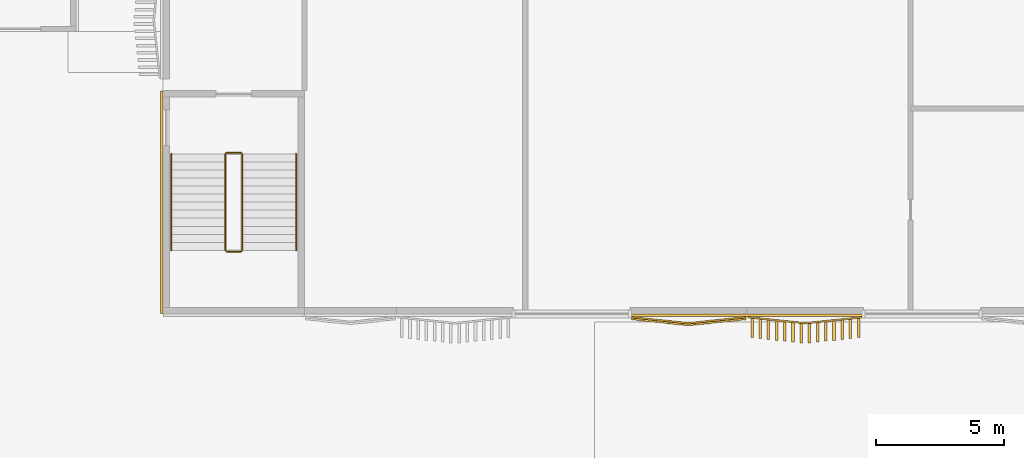
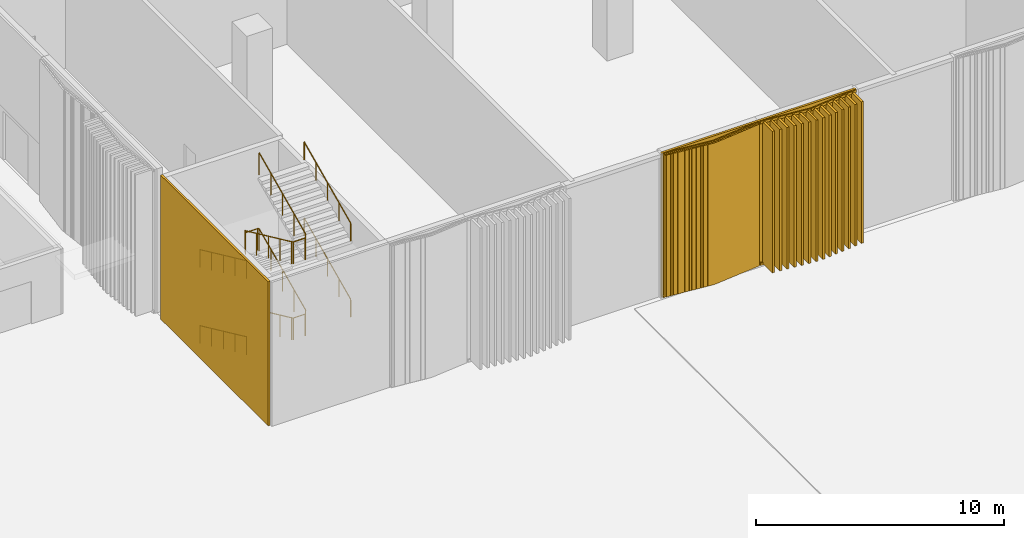
# One storey, part 30 of 41: 5 railings, 4 coverings.
"""IFC4 building model written with IfcOpenShell, lengths in metres."""

from ifc_helpers import new_model, si_unit, direction, frame, frame_2d, origin, origin_2d, place, context, subcontext, project, spatial, rectangle, circle, extrude, source, transform, mapped, material, layer, layer_set, type_object, element, save


model = new_model("IFC4")

# Units and contexts
model_context = context("Model", 3, precision=1e-05, world=origin(), true_north=direction((0.0, 1.0)))
body_context = subcontext(model_context, "Body", "Model", "MODEL_VIEW")
ifc_project = project(units=[si_unit("LENGTHUNIT", "METRE"), si_unit("AREAUNIT", "SQUARE_METRE"), si_unit("VOLUMEUNIT", "CUBIC_METRE"), si_unit("PLANEANGLEUNIT", "RADIAN"), si_unit("MASSUNIT", "GRAM", prefix="KILO")], contexts=[model_context])

# Site, building, storey
site_placement = place(None, origin())
site = spatial("IfcSite", under=ifc_project, at=site_placement, CompositionType="ELEMENT")
building_placement = place(site_placement, origin())
building = spatial("IfcBuilding", under=site, at=building_placement, Name="Tamra Quay Hotel Tower", CompositionType="ELEMENT")
storey_placement = place(building_placement, origin())
storey = spatial("IfcBuildingStorey", under=building, at=storey_placement, Name="L00", CompositionType="ELEMENT", Elevation=0.0)

# Coverings
ifc_material_1 = material(Name="Precast concrete M60 terracotta-coloured pierced relief", Category="masonry")
ifc_layer = layer(ifc_material_1, 0.10009765625)
ifc_layer_set = layer_set([ifc_layer], Name="PIERCED RELIEF PANEL 100")
covering_type_1 = type_object("IfcCoveringType", Name="PIERCED RELIEF PANEL 100", PredefinedType="CLADDING", material=ifc_layer_set)
covering_1_placement = place(storey_placement, frame((-66.369140625, -32.050048828125, 0.0), z_axis=(0.0, 0.0, 1.0), x_axis=(1.0, 0.0, 0.0)))
element("IfcCovering", 1, at=covering_1_placement, inside=storey, type_object=covering_type_1, Name="Relief panel L00.SW.14", PredefinedType="CLADDING", context=body_context, shape_type="SweptSolid", body=[
    extrude(rectangle(XDim=9.072265625, YDim=0.10009765625, at=origin_2d()), origin(), (0.0, 0.0, 1.0), 7.10009765625),
])
covering_2_placement = place(storey_placement, frame((-89.14990234375, -27.64990234375, 0.0), z_axis=(0.0, 0.0, 1.0), x_axis=(0.0, -1.0, 0.0)))
element("IfcCovering", 2, at=covering_2_placement, inside=storey, type_object=covering_type_1, Name="Relief panel L00.PS2.2", PredefinedType="CLADDING", context=body_context, shape_type="SweptSolid", body=[
    extrude(rectangle(XDim=8.679931640625, YDim=0.10009765625, at=origin_2d()), origin(), (0.0, 0.0, 1.0), 7.10009765625),
])

# Railings
ifc_material_2 = material(Name="Stair guard 1100")
railing_type_1 = type_object("IfcRailingType", Name="Stair guard 1100", PredefinedType="GUARDRAIL", material=ifc_material_2)
railing_1_placement = place(storey_placement, frame((-86.070068359375, -25.719970703125, 0.0)))
element("IfcRailing", 3, at=railing_1_placement, inside=storey, type_object=railing_type_1, Name="GR", PredefinedType="GUARDRAIL", context=body_context, shape_type="SweptSolid", body=[
    extrude(circle(Radius=0.02392578125, at=origin_2d()), frame((0.0, 0.0, 1.076171875), z_axis=(-1.0, 0.0, 0.0), x_axis=(0.0, -1.0, 0.0)), (0.0, 0.0, 1.0), 0.559814453125),
    extrude(circle(Radius=0.02392578125, at=origin_2d()), frame((-0.559814453125, 0.0, 1.076171875), z_axis=(-0.311418193813, -0.311418193813, 0.897795866066), x_axis=(0.707106781187, -0.707106781187, 0.0)), (0.0, 0.0, 1.0), 0.16064453125),
    extrude(circle(Radius=0.02392578125, at=origin_2d()), frame((-0.60986328125, -0.050048828125, 1.22021484375), z_axis=(0.0, -0.908213217456, 0.418507767716), x_axis=(1.0, 0.0, 0.0)), (0.0, 0.0, 1.0), 4.135498046875),
    extrude(circle(Radius=0.02392578125, at=origin_2d()), frame((-0.60986328125, -3.805908203125, 2.951171875), z_axis=(0.707106781187, -0.707106781187, 0.0), x_axis=(0.707106781187, 0.707106781187, 0.0)), (0.0, 0.0, 1.0), 0.07080078125),
    extrude(circle(Radius=0.02392578125, at=origin_2d()), frame((-0.559814453125, -3.85595703125, 2.951171875), z_axis=(1.0, 0.0, 0.0), x_axis=(0.0, 1.0, 0.0)), (0.0, 0.0, 1.0), 0.559814453125),
    extrude(circle(Radius=0.02392578125, at=origin_2d()), frame((0.0, -3.85595703125, 2.951171875), z_axis=(0.311418193813, 0.311418193813, 0.897795866066), x_axis=(-0.707106781187, 0.707106781187, 0.0)), (0.0, 0.0, 1.0), 0.16064453125),
    extrude(circle(Radius=0.02392578125, at=origin_2d()), frame((0.050048828125, -3.805908203125, 3.09521484375), z_axis=(0.0, 0.908213217456, 0.418507767716), x_axis=(-1.0, 0.0, 0.0)), (0.0, 0.0, 1.0), 4.135498046875),
    extrude(circle(Radius=0.02392578125, at=origin_2d()), frame((0.050048828125, -0.050048828125, 4.826171875), z_axis=(-0.707106781187, 0.707106781187, 0.0), x_axis=(-0.707106781187, -0.707106781187, 0.0)), (0.0, 0.0, 1.0), 0.07080078125),
    extrude(circle(Radius=0.02392578125, at=origin_2d()), frame((0.0, 0.0, 4.826171875), z_axis=(-1.0, 0.0, 0.0), x_axis=(0.0, -1.0, 0.0)), (0.0, 0.0, 1.0), 0.559814453125),
    extrude(circle(Radius=0.02392578125, at=origin_2d()), frame((-0.559814453125, 0.0, 4.826171875), z_axis=(-0.311418193813, -0.311418193813, 0.897795866066), x_axis=(0.707106781187, -0.707106781187, 0.0)), (0.0, 0.0, 1.0), 0.16064453125),
    extrude(circle(Radius=0.02392578125, at=origin_2d()), frame((-0.60986328125, -0.050048828125, 4.97021484375), z_axis=(0.0, -0.908213217456, 0.418507767716), x_axis=(1.0, 0.0, 0.0)), (0.0, 0.0, 1.0), 4.135498046875),
    extrude(circle(Radius=0.02392578125, at=origin_2d()), frame((-0.60986328125, -3.805908203125, 6.701171875), z_axis=(0.707106781187, -0.707106781187, 0.0), x_axis=(0.707106781187, 0.707106781187, 0.0)), (0.0, 0.0, 1.0), 0.07080078125),
    extrude(circle(Radius=0.02392578125, at=origin_2d()), frame((-0.559814453125, -3.85595703125, 6.701171875), z_axis=(1.0, 0.0, 0.0), x_axis=(0.0, 1.0, 0.0)), (0.0, 0.0, 1.0), 0.559814453125),
    extrude(circle(Radius=0.02392578125, at=origin_2d()), frame((0.0, -3.85595703125, 6.701171875), z_axis=(0.311418193813, 0.311418193813, 0.897795866066), x_axis=(-0.707106781187, 0.707106781187, 0.0)), (0.0, 0.0, 1.0), 0.16064453125),
    extrude(circle(Radius=0.02392578125, at=origin_2d()), frame((0.050048828125, -3.805908203125, 6.84521484375), z_axis=(0.0, 0.908213217456, 0.418507767716), x_axis=(-1.0, 0.0, 0.0)), (0.0, 0.0, 1.0), 4.135498046875),
    extrude(circle(Radius=0.02099609375, at=origin_2d()), origin(), (0.0, 0.0, 1.0), 1.052001953125),
    extrude(circle(Radius=0.02099609375, at=origin_2d()), frame((-0.559814453125, 0.0, 0.0)), (0.0, 0.0, 1.0), 1.052001953125),
    extrude(circle(Radius=0.02099609375, at=origin_2d()), frame((-0.60986328125, -0.050048828125, 0.144287109375)), (0.0, 0.0, 1.0), 1.052001953125),
    extrude(circle(Radius=0.02099609375, at=origin_2d()), frame((-0.60986328125, -0.989013671875, 0.576904296875)), (0.0, 0.0, 1.0), 1.052001953125),
    extrude(circle(Radius=0.02099609375, at=origin_2d()), frame((-0.60986328125, -1.927978515625, 1.009765625)), (0.0, 0.0, 1.0), 1.052001953125),
    extrude(circle(Radius=0.02099609375, at=origin_2d()), frame((-0.60986328125, -2.866943359375, 1.4423828125)), (0.0, 0.0, 1.0), 1.052001953125),
    extrude(circle(Radius=0.02099609375, at=origin_2d()), frame((-0.60986328125, -3.805908203125, 1.875)), (0.0, 0.0, 1.0), 1.052001953125),
    extrude(circle(Radius=0.02099609375, at=origin_2d()), frame((-0.559814453125, -3.85595703125, 1.875)), (0.0, 0.0, 1.0), 1.052001953125),
    extrude(circle(Radius=0.02099609375, at=origin_2d()), frame((0.0, -3.85595703125, 1.875)), (0.0, 0.0, 1.0), 1.052001953125),
    extrude(circle(Radius=0.02099609375, at=origin_2d()), frame((0.050048828125, -3.805908203125, 2.019287109375)), (0.0, 0.0, 1.0), 1.052001953125),
    extrude(circle(Radius=0.02099609375, at=origin_2d()), frame((0.050048828125, -2.866943359375, 2.451904296875)), (0.0, 0.0, 1.0), 1.052001953125),
    extrude(circle(Radius=0.02099609375, at=origin_2d()), frame((0.050048828125, -1.927978515625, 2.884765625)), (0.0, 0.0, 1.0), 1.052001953125),
    extrude(circle(Radius=0.02099609375, at=origin_2d()), frame((0.050048828125, -0.989013671875, 3.3173828125)), (0.0, 0.0, 1.0), 1.052001953125),
    extrude(circle(Radius=0.02099609375, at=origin_2d()), frame((0.050048828125, -0.050048828125, 3.75)), (0.0, 0.0, 1.0), 1.052001953125),
    extrude(circle(Radius=0.02099609375, at=origin_2d()), frame((0.0, 0.0, 3.75)), (0.0, 0.0, 1.0), 1.052001953125),
    extrude(circle(Radius=0.02099609375, at=origin_2d()), frame((-0.559814453125, 0.0, 3.75)), (0.0, 0.0, 1.0), 1.052001953125),
    extrude(circle(Radius=0.02099609375, at=origin_2d()), frame((-0.60986328125, -0.050048828125, 3.894287109375)), (0.0, 0.0, 1.0), 1.052001953125),
    extrude(circle(Radius=0.02099609375, at=origin_2d()), frame((-0.60986328125, -0.989013671875, 4.326904296875)), (0.0, 0.0, 1.0), 1.052001953125),
    extrude(circle(Radius=0.02099609375, at=origin_2d()), frame((-0.60986328125, -1.927978515625, 4.759765625)), (0.0, 0.0, 1.0), 1.052001953125),
    extrude(circle(Radius=0.02099609375, at=origin_2d()), frame((-0.60986328125, -2.866943359375, 5.1923828125)), (0.0, 0.0, 1.0), 1.052001953125),
    extrude(circle(Radius=0.02099609375, at=origin_2d()), frame((-0.60986328125, -3.805908203125, 5.625)), (0.0, 0.0, 1.0), 1.052001953125),
    extrude(circle(Radius=0.02099609375, at=origin_2d()), frame((-0.559814453125, -3.85595703125, 5.625)), (0.0, 0.0, 1.0), 1.052001953125),
    extrude(circle(Radius=0.02099609375, at=origin_2d()), frame((0.0, -3.85595703125, 5.625)), (0.0, 0.0, 1.0), 1.052001953125),
    extrude(circle(Radius=0.02099609375, at=origin_2d()), frame((0.050048828125, -3.805908203125, 5.769287109375)), (0.0, 0.0, 1.0), 1.052001953125),
    extrude(circle(Radius=0.02099609375, at=origin_2d()), frame((0.050048828125, -2.866943359375, 6.201904296875)), (0.0, 0.0, 1.0), 1.052001953125),
    extrude(circle(Radius=0.02099609375, at=origin_2d()), frame((0.050048828125, -1.927978515625, 6.634765625)), (0.0, 0.0, 1.0), 1.052001953125),
    extrude(circle(Radius=0.02099609375, at=origin_2d()), frame((0.050048828125, -0.989013671875, 7.0673828125)), (0.0, 0.0, 1.0), 1.052001953125),
    extrude(circle(Radius=0.02099609375, at=origin_2d()), frame((0.050048828125, -0.050048828125, 7.5)), (0.0, 0.0, 1.0), 1.052001953125),
])
ifc_material_3 = material(Name="Stair handrail 900")
railing_type_2 = type_object("IfcRailingType", Name="Stair handrail 900", PredefinedType="HANDRAIL", material=ifc_material_3)
railing_2_placement = place(storey_placement, frame((-88.780029296875, -25.77001953125, 0.144287109375)))
element("IfcRailing", 4, at=railing_2_placement, inside=storey, type_object=railing_type_2, Name="HR", PredefinedType="HANDRAIL", context=body_context, shape_type="SweptSolid", body=[
    extrude(circle(Radius=0.02392578125, at=origin_2d()), frame((0.0, 0.0, 0.8759765625), z_axis=(0.0, -0.908213217456, 0.418507767716), x_axis=(1.0, 0.0, 0.0)), (0.0, 0.0, 1.0), 4.135498046875),
    extrude(circle(Radius=0.02099609375, at=origin_2d()), origin(), (0.0, 0.0, 1.0), 0.851806640625),
    extrude(circle(Radius=0.02099609375, at=origin_2d()), frame((0.0, -0.93896484375, 0.4326171875)), (0.0, 0.0, 1.0), 0.851806640625),
    extrude(circle(Radius=0.02099609375, at=origin_2d()), frame((0.0, -1.8779296875, 0.865234375)), (0.0, 0.0, 1.0), 0.851806640625),
    extrude(circle(Radius=0.02099609375, at=origin_2d()), frame((0.0, -2.81689453125, 1.298095703125)), (0.0, 0.0, 1.0), 0.851806640625),
    extrude(circle(Radius=0.02099609375, at=origin_2d()), frame((0.0, -3.755859375, 1.730712890625)), (0.0, 0.0, 1.0), 0.851806640625),
])
railing_3_placement = place(storey_placement, frame((-83.919921875, -29.52587890625, 2.019287109375)))
element("IfcRailing", 5, at=railing_3_placement, inside=storey, type_object=railing_type_2, Name="HR", PredefinedType="HANDRAIL", context=body_context, shape_type="SweptSolid", body=[
    extrude(circle(Radius=0.02392578125, at=origin_2d()), frame((0.0, 0.0, 0.8759765625), z_axis=(0.0, 0.908213217456, 0.418507767716), x_axis=(-1.0, 0.0, 0.0)), (0.0, 0.0, 1.0), 4.135498046875),
    extrude(circle(Radius=0.02099609375, at=origin_2d()), origin(), (0.0, 0.0, 1.0), 0.851806640625),
    extrude(circle(Radius=0.02099609375, at=origin_2d()), frame((0.0, 0.93896484375, 0.4326171875)), (0.0, 0.0, 1.0), 0.851806640625),
    extrude(circle(Radius=0.02099609375, at=origin_2d()), frame((0.0, 1.8779296875, 0.865234375)), (0.0, 0.0, 1.0), 0.851806640625),
    extrude(circle(Radius=0.02099609375, at=origin_2d()), frame((0.0, 2.81689453125, 1.298095703125)), (0.0, 0.0, 1.0), 0.851806640625),
    extrude(circle(Radius=0.02099609375, at=origin_2d()), frame((0.0, 3.755859375, 1.730712890625)), (0.0, 0.0, 1.0), 0.851806640625),
])
railing_4_placement = place(storey_placement, frame((-88.780029296875, -25.77001953125, 3.894287109375)))
element("IfcRailing", 6, at=railing_4_placement, inside=storey, type_object=railing_type_2, Name="HR", PredefinedType="HANDRAIL", context=body_context, shape_type="SweptSolid", body=[
    extrude(circle(Radius=0.02392578125, at=origin_2d()), frame((0.0, 0.0, 0.8759765625), z_axis=(0.0, -0.908213217456, 0.418507767716), x_axis=(1.0, 0.0, 0.0)), (0.0, 0.0, 1.0), 4.135498046875),
    extrude(circle(Radius=0.02099609375, at=origin_2d()), origin(), (0.0, 0.0, 1.0), 0.851806640625),
    extrude(circle(Radius=0.02099609375, at=origin_2d()), frame((0.0, -0.93896484375, 0.4326171875)), (0.0, 0.0, 1.0), 0.851806640625),
    extrude(circle(Radius=0.02099609375, at=origin_2d()), frame((0.0, -1.8779296875, 0.865234375)), (0.0, 0.0, 1.0), 0.851806640625),
    extrude(circle(Radius=0.02099609375, at=origin_2d()), frame((0.0, -2.81689453125, 1.298095703125)), (0.0, 0.0, 1.0), 0.851806640625),
    extrude(circle(Radius=0.02099609375, at=origin_2d()), frame((0.0, -3.755859375, 1.730712890625)), (0.0, 0.0, 1.0), 0.851806640625),
])
railing_5_placement = place(storey_placement, frame((-83.919921875, -29.52587890625, 5.769287109375)))
element("IfcRailing", 7, at=railing_5_placement, inside=storey, type_object=railing_type_2, Name="HR", PredefinedType="HANDRAIL", context=body_context, shape_type="SweptSolid", body=[
    extrude(circle(Radius=0.02392578125, at=origin_2d()), frame((0.0, 0.0, 0.8759765625), z_axis=(0.0, 0.908213217456, 0.418507767716), x_axis=(-1.0, 0.0, 0.0)), (0.0, 0.0, 1.0), 4.135498046875),
    extrude(circle(Radius=0.02099609375, at=origin_2d()), origin(), (0.0, 0.0, 1.0), 0.851806640625),
    extrude(circle(Radius=0.02099609375, at=origin_2d()), frame((0.0, 0.93896484375, 0.4326171875)), (0.0, 0.0, 1.0), 0.851806640625),
    extrude(circle(Radius=0.02099609375, at=origin_2d()), frame((0.0, 1.8779296875, 0.865234375)), (0.0, 0.0, 1.0), 0.851806640625),
    extrude(circle(Radius=0.02099609375, at=origin_2d()), frame((0.0, 2.81689453125, 1.298095703125)), (0.0, 0.0, 1.0), 0.851806640625),
    extrude(circle(Radius=0.02099609375, at=origin_2d()), frame((0.0, 3.755859375, 1.730712890625)), (0.0, 0.0, 1.0), 0.851806640625),
])

# Coverings
ifc_material_4 = material(Name="Terracotta baguette extruded", Category="masonry")
covering_type_2 = type_object("IfcCoveringType", Name="BAGUETTE SCREEN SW-DEEP H7100", PredefinedType="USERDEFINED", material=ifc_material_4)
shared_shape_1 = source(origin(), body_context, "Body", "SweptSolid", [
    extrude(rectangle(XDim=2.244873046875, YDim=0.06005859375, at=frame_2d((1.12255859375, 0.030029296875))), frame((-2.23876953125, -0.0576171875, -0.1201171875), z_axis=(0.0, 0.0, 1.0), x_axis=(0.994521895368, -0.104528463268, 0.0)), (0.0, 0.0, 1.0), 0.1201171875),
    extrude(rectangle(XDim=2.244873046875, YDim=0.06005859375, at=frame_2d((1.12255859375, 0.030029296875))), frame((-2.23876953125, -0.0576171875, -7.10009765625), z_axis=(0.0, 0.0, 1.0), x_axis=(0.994521895368, -0.104528463268, 0.0)), (0.0, 0.0, 1.0), 0.1201171875),
    extrude(rectangle(XDim=0.10009765625, YDim=0.780029296875, at=frame_2d((0.050048828125, 0.39013671875))), frame((-2.123046875, -0.82470703125, -7.0400390625)), (0.0, 0.0, 1.0), 6.97998046875),
    extrude(rectangle(XDim=0.10009765625, YDim=0.780029296875, at=frame_2d((0.050048828125, 0.39013671875))), frame((-1.80419921875, -0.8583984375, -7.0400390625)), (0.0, 0.0, 1.0), 6.97998046875),
    extrude(rectangle(XDim=0.10009765625, YDim=0.780029296875, at=frame_2d((0.050048828125, 0.39013671875))), frame((-1.485107421875, -0.891845703125, -7.0400390625)), (0.0, 0.0, 1.0), 6.97998046875),
    extrude(rectangle(XDim=0.10009765625, YDim=0.780029296875, at=frame_2d((0.050048828125, 0.39013671875))), frame((-1.166259765625, -0.92529296875, -7.0400390625)), (0.0, 0.0, 1.0), 6.97998046875),
    extrude(rectangle(XDim=0.10009765625, YDim=0.780029296875, at=frame_2d((0.050048828125, 0.39013671875))), frame((-0.847412109375, -0.958740234375, -7.0400390625)), (0.0, 0.0, 1.0), 6.97998046875),
    extrude(rectangle(XDim=0.10009765625, YDim=0.780029296875, at=frame_2d((0.050048828125, 0.39013671875))), frame((-0.5283203125, -0.992431640625, -7.0400390625)), (0.0, 0.0, 1.0), 6.97998046875),
    extrude(rectangle(XDim=0.10009765625, YDim=0.780029296875, at=frame_2d((0.050048828125, 0.39013671875))), frame((-0.20947265625, -1.02587890625, -7.0400390625)), (0.0, 0.0, 1.0), 6.97998046875),
    extrude(rectangle(XDim=2.244873046875, YDim=0.06005859375, at=frame_2d((1.12255859375, 0.030029296875))), frame((0.00634765625, -0.292236328125, -0.1201171875), z_axis=(0.0, 0.0, 1.0), x_axis=(0.994521895368, 0.104528463268, 0.0)), (0.0, 0.0, 1.0), 0.1201171875),
    extrude(rectangle(XDim=2.244873046875, YDim=0.06005859375, at=frame_2d((1.12255859375, 0.030029296875))), frame((0.00634765625, -0.292236328125, -7.10009765625), z_axis=(0.0, 0.0, 1.0), x_axis=(0.994521895368, 0.104528463268, 0.0)), (0.0, 0.0, 1.0), 0.1201171875),
    extrude(rectangle(XDim=0.10009765625, YDim=0.780029296875, at=frame_2d((0.050048828125, 0.39013671875))), frame((0.109375, -1.02587890625, -7.0400390625)), (0.0, 0.0, 1.0), 6.97998046875),
    extrude(rectangle(XDim=0.10009765625, YDim=0.780029296875, at=frame_2d((0.050048828125, 0.39013671875))), frame((0.428466796875, -0.992431640625, -7.0400390625)), (0.0, 0.0, 1.0), 6.97998046875),
    extrude(rectangle(XDim=0.10009765625, YDim=0.780029296875, at=frame_2d((0.050048828125, 0.39013671875))), frame((0.747314453125, -0.958740234375, -7.0400390625)), (0.0, 0.0, 1.0), 6.97998046875),
    extrude(rectangle(XDim=0.10009765625, YDim=0.780029296875, at=frame_2d((0.050048828125, 0.39013671875))), frame((1.066162109375, -0.92529296875, -7.0400390625)), (0.0, 0.0, 1.0), 6.97998046875),
    extrude(rectangle(XDim=0.10009765625, YDim=0.780029296875, at=frame_2d((0.050048828125, 0.39013671875))), frame((1.38525390625, -0.891845703125, -7.0400390625)), (0.0, 0.0, 1.0), 6.97998046875),
    extrude(rectangle(XDim=0.10009765625, YDim=0.780029296875, at=frame_2d((0.050048828125, 0.39013671875))), frame((1.7041015625, -0.8583984375, -7.0400390625)), (0.0, 0.0, 1.0), 6.97998046875),
    extrude(rectangle(XDim=0.10009765625, YDim=0.780029296875, at=frame_2d((0.050048828125, 0.39013671875))), frame((2.02294921875, -0.82470703125, -7.0400390625)), (0.0, 0.0, 1.0), 6.97998046875),
])
covering_3_placement = place(storey_placement, frame((-64.09619140625, -32.10009765625, 7.10009765625), z_axis=(0.0, 0.0, 1.0), x_axis=(1.0, 0.0, 0.0)))
element("IfcCovering", 8, at=covering_3_placement, inside=storey, type_object=covering_type_2, Name="Baguette screen wing.L00.SW.15", ObjectType="BAGUETTE SCREEN", PredefinedType="USERDEFINED", context=body_context, shape_type="MappedRepresentation", body=[
    mapped(shared_shape_1, transform((0.0, 0.0, 0.0), scale=1.0)),
])
covering_type_3 = type_object("IfcCoveringType", Name="BAGUETTE SCREEN SW-SHALLOW H7100", PredefinedType="USERDEFINED", material=ifc_material_4)
shared_shape_2 = source(origin(), body_context, "Body", "SweptSolid", [
    extrude(rectangle(XDim=2.244873046875, YDim=0.06005859375, at=frame_2d((1.12255859375, 0.030029296875))), frame((-2.23876953125, -0.0576171875, -0.1201171875), z_axis=(0.0, 0.0, 1.0), x_axis=(0.994521895368, -0.104528463268, 0.0)), (0.0, 0.0, 1.0), 0.1201171875),
    extrude(rectangle(XDim=2.244873046875, YDim=0.06005859375, at=frame_2d((1.12255859375, 0.030029296875))), frame((-2.23876953125, -0.0576171875, -7.10009765625), z_axis=(0.0, 0.0, 1.0), x_axis=(0.994521895368, -0.104528463268, 0.0)), (0.0, 0.0, 1.0), 0.1201171875),
    extrude(rectangle(XDim=0.094970703125, YDim=0.10009765625, at=frame_2d((0.04736328125, 0.050048828125))), frame((-2.229248046875, -0.13330078125, -7.0400390625)), (0.0, 0.0, 1.0), 6.97998046875),
    extrude(rectangle(XDim=0.094970703125, YDim=0.10009765625, at=frame_2d((0.04736328125, 0.050048828125))), frame((-2.127685546875, -0.14404296875, -7.0400390625)), (0.0, 0.0, 1.0), 6.97998046875),
    extrude(rectangle(XDim=0.094970703125, YDim=0.10009765625, at=frame_2d((0.04736328125, 0.050048828125))), frame((-2.0263671875, -0.154541015625, -7.0400390625)), (0.0, 0.0, 1.0), 6.97998046875),
    extrude(rectangle(XDim=0.094970703125, YDim=0.10009765625, at=frame_2d((0.04736328125, 0.050048828125))), frame((-1.9248046875, -0.165283203125, -7.0400390625)), (0.0, 0.0, 1.0), 6.97998046875),
    extrude(rectangle(XDim=0.094970703125, YDim=0.10009765625, at=frame_2d((0.04736328125, 0.050048828125))), frame((-1.8232421875, -0.176025390625, -7.0400390625)), (0.0, 0.0, 1.0), 6.97998046875),
    extrude(rectangle(XDim=0.094970703125, YDim=0.10009765625, at=frame_2d((0.04736328125, 0.050048828125))), frame((-1.721923828125, -0.186767578125, -7.0400390625)), (0.0, 0.0, 1.0), 6.97998046875),
    extrude(rectangle(XDim=0.094970703125, YDim=0.10009765625, at=frame_2d((0.04736328125, 0.050048828125))), frame((-1.620361328125, -0.197265625, -7.0400390625)), (0.0, 0.0, 1.0), 6.97998046875),
    extrude(rectangle(XDim=0.094970703125, YDim=0.10009765625, at=frame_2d((0.04736328125, 0.050048828125))), frame((-1.518798828125, -0.2080078125, -7.0400390625)), (0.0, 0.0, 1.0), 6.97998046875),
    extrude(rectangle(XDim=0.094970703125, YDim=0.10009765625, at=frame_2d((0.04736328125, 0.050048828125))), frame((-1.41748046875, -0.21875, -7.0400390625)), (0.0, 0.0, 1.0), 6.97998046875),
    extrude(rectangle(XDim=0.094970703125, YDim=0.10009765625, at=frame_2d((0.04736328125, 0.050048828125))), frame((-1.31591796875, -0.229248046875, -7.0400390625)), (0.0, 0.0, 1.0), 6.97998046875),
    extrude(rectangle(XDim=0.094970703125, YDim=0.10009765625, at=frame_2d((0.04736328125, 0.050048828125))), frame((-1.214599609375, -0.239990234375, -7.0400390625)), (0.0, 0.0, 1.0), 6.97998046875),
    extrude(rectangle(XDim=0.094970703125, YDim=0.10009765625, at=frame_2d((0.04736328125, 0.050048828125))), frame((-1.113037109375, -0.250732421875, -7.0400390625)), (0.0, 0.0, 1.0), 6.97998046875),
    extrude(rectangle(XDim=0.094970703125, YDim=0.10009765625, at=frame_2d((0.04736328125, 0.050048828125))), frame((-1.011474609375, -0.26123046875, -7.0400390625)), (0.0, 0.0, 1.0), 6.97998046875),
    extrude(rectangle(XDim=0.094970703125, YDim=0.10009765625, at=frame_2d((0.04736328125, 0.050048828125))), frame((-0.91015625, -0.27197265625, -7.0400390625)), (0.0, 0.0, 1.0), 6.97998046875),
    extrude(rectangle(XDim=0.094970703125, YDim=0.10009765625, at=frame_2d((0.04736328125, 0.050048828125))), frame((-0.80859375, -0.28271484375, -7.0400390625)), (0.0, 0.0, 1.0), 6.97998046875),
    extrude(rectangle(XDim=0.094970703125, YDim=0.10009765625, at=frame_2d((0.04736328125, 0.050048828125))), frame((-0.70703125, -0.293212890625, -7.0400390625)), (0.0, 0.0, 1.0), 6.97998046875),
    extrude(rectangle(XDim=0.094970703125, YDim=0.10009765625, at=frame_2d((0.04736328125, 0.050048828125))), frame((-0.605712890625, -0.303955078125, -7.0400390625)), (0.0, 0.0, 1.0), 6.97998046875),
    extrude(rectangle(XDim=0.094970703125, YDim=0.10009765625, at=frame_2d((0.04736328125, 0.050048828125))), frame((-0.504150390625, -0.314697265625, -7.0400390625)), (0.0, 0.0, 1.0), 6.97998046875),
    extrude(rectangle(XDim=0.094970703125, YDim=0.10009765625, at=frame_2d((0.04736328125, 0.050048828125))), frame((-0.402587890625, -0.325439453125, -7.0400390625)), (0.0, 0.0, 1.0), 6.97998046875),
    extrude(rectangle(XDim=0.094970703125, YDim=0.10009765625, at=frame_2d((0.04736328125, 0.050048828125))), frame((-0.30126953125, -0.3359375, -7.0400390625)), (0.0, 0.0, 1.0), 6.97998046875),
    extrude(rectangle(XDim=0.094970703125, YDim=0.10009765625, at=frame_2d((0.04736328125, 0.050048828125))), frame((-0.19970703125, -0.3466796875, -7.0400390625)), (0.0, 0.0, 1.0), 6.97998046875),
    extrude(rectangle(XDim=0.094970703125, YDim=0.10009765625, at=frame_2d((0.04736328125, 0.050048828125))), frame((-0.09814453125, -0.357421875, -7.0400390625)), (0.0, 0.0, 1.0), 6.97998046875),
    extrude(rectangle(XDim=2.244873046875, YDim=0.06005859375, at=frame_2d((1.12255859375, 0.030029296875))), frame((0.00634765625, -0.292236328125, -0.1201171875), z_axis=(0.0, 0.0, 1.0), x_axis=(0.994521895368, 0.104528463268, 0.0)), (0.0, 0.0, 1.0), 0.1201171875),
    extrude(rectangle(XDim=2.244873046875, YDim=0.06005859375, at=frame_2d((1.12255859375, 0.030029296875))), frame((0.00634765625, -0.292236328125, -7.10009765625), z_axis=(0.0, 0.0, 1.0), x_axis=(0.994521895368, 0.104528463268, 0.0)), (0.0, 0.0, 1.0), 0.1201171875),
    extrude(rectangle(XDim=0.094970703125, YDim=0.10009765625, at=frame_2d((0.04736328125, 0.050048828125))), frame((0.003173828125, -0.357421875, -7.0400390625)), (0.0, 0.0, 1.0), 6.97998046875),
    extrude(rectangle(XDim=0.094970703125, YDim=0.10009765625, at=frame_2d((0.04736328125, 0.050048828125))), frame((0.104736328125, -0.3466796875, -7.0400390625)), (0.0, 0.0, 1.0), 6.97998046875),
    extrude(rectangle(XDim=0.094970703125, YDim=0.10009765625, at=frame_2d((0.04736328125, 0.050048828125))), frame((0.206298828125, -0.3359375, -7.0400390625)), (0.0, 0.0, 1.0), 6.97998046875),
    extrude(rectangle(XDim=0.094970703125, YDim=0.10009765625, at=frame_2d((0.04736328125, 0.050048828125))), frame((0.3076171875, -0.325439453125, -7.0400390625)), (0.0, 0.0, 1.0), 6.97998046875),
    extrude(rectangle(XDim=0.094970703125, YDim=0.10009765625, at=frame_2d((0.04736328125, 0.050048828125))), frame((0.4091796875, -0.314697265625, -7.0400390625)), (0.0, 0.0, 1.0), 6.97998046875),
    extrude(rectangle(XDim=0.094970703125, YDim=0.10009765625, at=frame_2d((0.04736328125, 0.050048828125))), frame((0.510498046875, -0.303955078125, -7.0400390625)), (0.0, 0.0, 1.0), 6.97998046875),
    extrude(rectangle(XDim=0.094970703125, YDim=0.10009765625, at=frame_2d((0.04736328125, 0.050048828125))), frame((0.612060546875, -0.293212890625, -7.0400390625)), (0.0, 0.0, 1.0), 6.97998046875),
    extrude(rectangle(XDim=0.094970703125, YDim=0.10009765625, at=frame_2d((0.04736328125, 0.050048828125))), frame((0.713623046875, -0.28271484375, -7.0400390625)), (0.0, 0.0, 1.0), 6.97998046875),
    extrude(rectangle(XDim=0.094970703125, YDim=0.10009765625, at=frame_2d((0.04736328125, 0.050048828125))), frame((0.81494140625, -0.27197265625, -7.0400390625)), (0.0, 0.0, 1.0), 6.97998046875),
    extrude(rectangle(XDim=0.094970703125, YDim=0.10009765625, at=frame_2d((0.04736328125, 0.050048828125))), frame((0.91650390625, -0.26123046875, -7.0400390625)), (0.0, 0.0, 1.0), 6.97998046875),
    extrude(rectangle(XDim=0.094970703125, YDim=0.10009765625, at=frame_2d((0.04736328125, 0.050048828125))), frame((1.01806640625, -0.250732421875, -7.0400390625)), (0.0, 0.0, 1.0), 6.97998046875),
    extrude(rectangle(XDim=0.094970703125, YDim=0.10009765625, at=frame_2d((0.04736328125, 0.050048828125))), frame((1.119384765625, -0.239990234375, -7.0400390625)), (0.0, 0.0, 1.0), 6.97998046875),
    extrude(rectangle(XDim=0.094970703125, YDim=0.10009765625, at=frame_2d((0.04736328125, 0.050048828125))), frame((1.220947265625, -0.229248046875, -7.0400390625)), (0.0, 0.0, 1.0), 6.97998046875),
    extrude(rectangle(XDim=0.094970703125, YDim=0.10009765625, at=frame_2d((0.04736328125, 0.050048828125))), frame((1.322509765625, -0.21875, -7.0400390625)), (0.0, 0.0, 1.0), 6.97998046875),
    extrude(rectangle(XDim=0.094970703125, YDim=0.10009765625, at=frame_2d((0.04736328125, 0.050048828125))), frame((1.423828125, -0.2080078125, -7.0400390625)), (0.0, 0.0, 1.0), 6.97998046875),
    extrude(rectangle(XDim=0.094970703125, YDim=0.10009765625, at=frame_2d((0.04736328125, 0.050048828125))), frame((1.525390625, -0.197265625, -7.0400390625)), (0.0, 0.0, 1.0), 6.97998046875),
    extrude(rectangle(XDim=0.094970703125, YDim=0.10009765625, at=frame_2d((0.04736328125, 0.050048828125))), frame((1.626953125, -0.186767578125, -7.0400390625)), (0.0, 0.0, 1.0), 6.97998046875),
    extrude(rectangle(XDim=0.094970703125, YDim=0.10009765625, at=frame_2d((0.04736328125, 0.050048828125))), frame((1.728271484375, -0.176025390625, -7.0400390625)), (0.0, 0.0, 1.0), 6.97998046875),
    extrude(rectangle(XDim=0.094970703125, YDim=0.10009765625, at=frame_2d((0.04736328125, 0.050048828125))), frame((1.829833984375, -0.165283203125, -7.0400390625)), (0.0, 0.0, 1.0), 6.97998046875),
    extrude(rectangle(XDim=0.094970703125, YDim=0.10009765625, at=frame_2d((0.04736328125, 0.050048828125))), frame((1.931396484375, -0.154541015625, -7.0400390625)), (0.0, 0.0, 1.0), 6.97998046875),
    extrude(rectangle(XDim=0.094970703125, YDim=0.10009765625, at=frame_2d((0.04736328125, 0.050048828125))), frame((2.03271484375, -0.14404296875, -7.0400390625)), (0.0, 0.0, 1.0), 6.97998046875),
    extrude(rectangle(XDim=0.094970703125, YDim=0.10009765625, at=frame_2d((0.04736328125, 0.050048828125))), frame((2.13427734375, -0.13330078125, -7.0400390625)), (0.0, 0.0, 1.0), 6.97998046875),
])
covering_4_placement = place(storey_placement, frame((-68.642333984375, -32.10009765625, 7.10009765625), z_axis=(0.0, 0.0, 1.0), x_axis=(1.0, 0.0, 0.0)))
element("IfcCovering", 9, at=covering_4_placement, inside=storey, type_object=covering_type_3, Name="Baguette screen wing.L00.SW.14", ObjectType="BAGUETTE SCREEN", PredefinedType="USERDEFINED", context=body_context, shape_type="MappedRepresentation", body=[
    mapped(shared_shape_2, transform((0.0, 0.0, 0.0), scale=1.0)),
])

save(model, "model.ifc")
